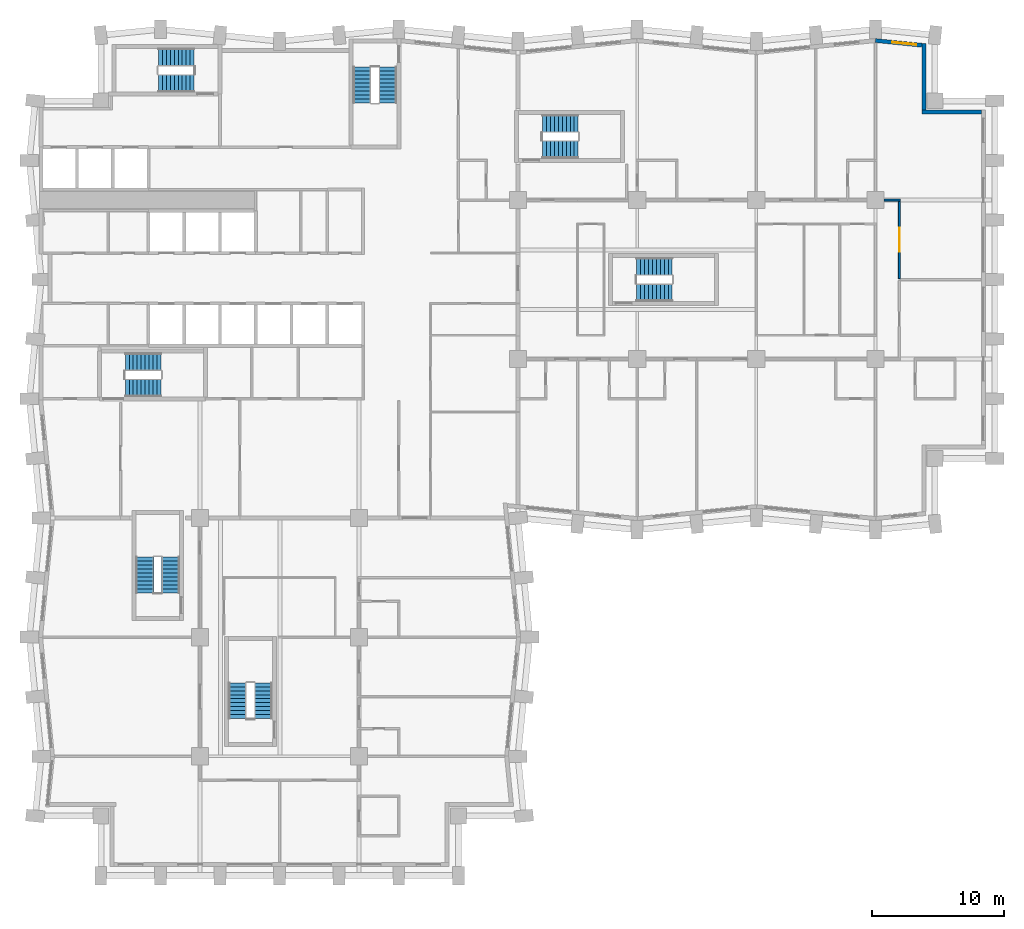
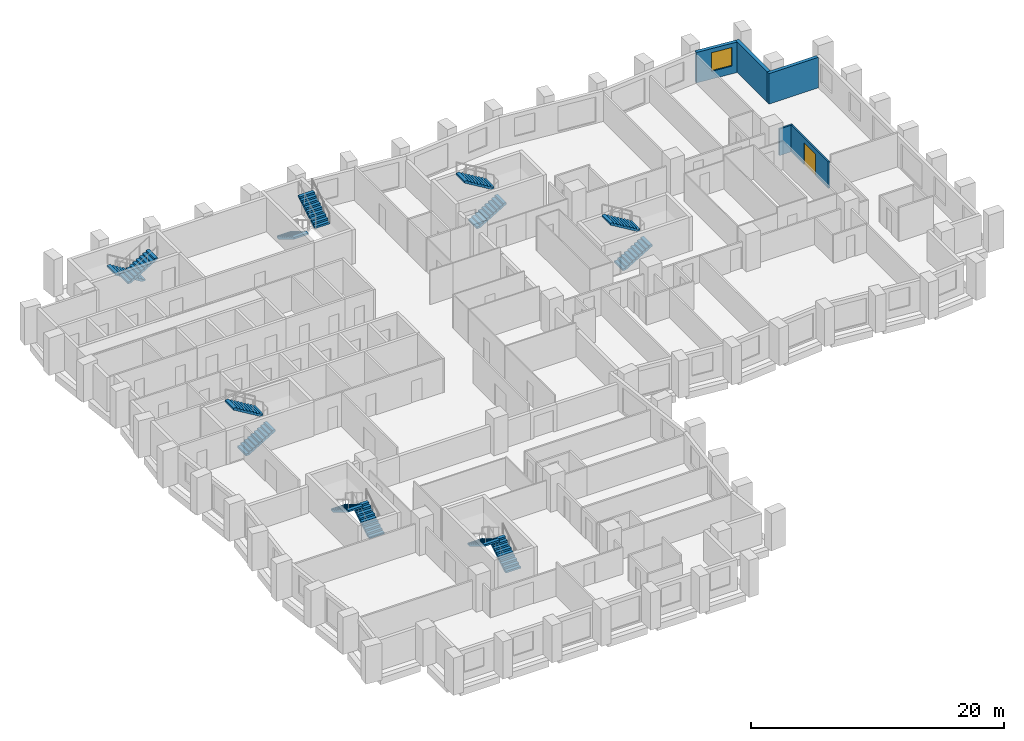
# One storey, part 10 of 12: 14 stair flights, 5 walls, 1 door, 1 window, 2 openings, 7 elements without a shape of their own.
"""IFC4 building model written with IfcOpenShell, lengths in metres."""

from ifc_helpers import new_model, si_unit, direction, frame, frame_2d, origin, place, context, subcontext, project, spatial, polyline, rectangle, outline, extrude, material, layer, layer_set, type_object, element, fill, aggregate, save


model = new_model("IFC4")

# Units and contexts
model_context = context("Model", 3, precision=1e-05, world=origin(), true_north=direction((0.0, 1.0)))
body_context = subcontext(model_context, "Body", "Model", "MODEL_VIEW")
ifc_project = project(units=[si_unit("LENGTHUNIT", "METRE"), si_unit("AREAUNIT", "SQUARE_METRE"), si_unit("VOLUMEUNIT", "CUBIC_METRE"), si_unit("PLANEANGLEUNIT", "RADIAN"), si_unit("MASSUNIT", "GRAM", prefix="KILO")], contexts=[model_context])

# Site, building, storey
site_placement = place(None, origin())
site = spatial("IfcSite", under=ifc_project, at=site_placement, CompositionType="ELEMENT")
building_placement = place(site_placement, origin())
building = spatial("IfcBuilding", under=site, at=building_placement, Name="Brondeck Convention Tower", CompositionType="ELEMENT")
storey_placement = place(building_placement, frame((0.0, 0.0, 80.699951171875)))
storey = spatial("IfcBuildingStorey", under=building, at=storey_placement, Name="L18", CompositionType="ELEMENT", Elevation=80.699951171875)

# Walls
ifc_material_1 = material(Name="Precast concrete C50/60 bronze finish", Category="concrete")
ifc_layer_1 = layer(ifc_material_1, 0.070068359375, Name="Bronze precast facing")
ifc_material_2 = material(Name="Mineral wool")
ifc_layer_2 = layer(ifc_material_2, 0.159912109375, Name="Insulation")
ifc_material_3 = material(Name="Concrete C35/45", Category="concrete")
ifc_layer_3 = layer(ifc_material_3, 0.070068359375, Name="Backing")
ifc_layer_set_1 = layer_set([ifc_layer_1, ifc_layer_2, ifc_layer_3], Name="External infill wall, precast concrete C50/60 bronze facing")
wall_type_1 = type_object("IfcWallType", Name="External infill wall, precast concrete C50/60 bronze facing", PredefinedType="SOLIDWALL", material=ifc_layer_set_1)
wall_1_placement = place(storey_placement, frame((66.5, 57.64990234375, 0.0), z_axis=(0.0, 0.0, 1.0), x_axis=(1.0, 0.0, 0.0)))
element("IfcWall", 1, at=wall_1_placement, inside=storey, type_object=wall_type_1, Name="ENV-EW-L18-P0-NC-NEA72-01", PredefinedType="SOLIDWALL", context=body_context, shape_type="SweptSolid", body=[
    extrude(rectangle(XDim=4.5, YDim=0.300048828125, at=frame_2d((2.25, 0.0))), origin(), (0.0, 0.0, 1.0), 2.949951171875),
])
wall_2_placement = place(storey_placement, frame((66.64990234375, 62.81640625, 0.0), z_axis=(0.0, 0.0, 1.0), x_axis=(0.0, -1.0, 0.0)))
element("IfcWall", 2, at=wall_2_placement, inside=storey, type_object=wall_type_1, Name="ENV-EW-L18-P0-NC-NEA72-02", PredefinedType="SOLIDWALL", context=body_context, shape_type="SweptSolid", body=[
    extrude(rectangle(XDim=5.018310546875, YDim=0.300048828125, at=frame_2d((2.50927734375, 0.0))), origin(), (0.0, 0.0, 1.0), 2.949951171875),
])

# Wall, opening, window
wall_3_placement = place(storey_placement, frame((62.985107421875, 63.04736328125, 0.0), z_axis=(0.0, 0.0, 1.0), x_axis=(0.995031712439, -0.099558481511, 0.0)))
wall_3 = element("IfcWall", 3, at=wall_3_placement, inside=storey, type_object=wall_type_1, Name="ENV-EW-L18-P0-A-N-14", PredefinedType="SOLIDWALL", context=body_context, shape_type="SweptSolid", body=[
    extrude(rectangle(XDim=3.53125, YDim=0.300048828125, at=frame_2d((1.765625, 0.0))), origin(), (0.0, 0.0, 1.0), 2.949951171875),
])
opening_1_placement = place(wall_3_placement, frame((1.291259765625, 0.0, 0.75)))
opening_1 = element("IfcOpeningElement", 4, at=opening_1_placement, cuts=wall_3, Name="Opening W10", PredefinedType="OPENING", context=body_context, shape_type="SweptSolid", body=[
    extrude(rectangle(XDim=1.800048828125, YDim=1.800048828125, at=frame_2d((0.89990234375, 0.89990234375))), frame((0.0, 0.159912109375, 0.0), z_axis=(0.0, -1.0, 0.0), x_axis=(1.0, 0.0, 0.0)), (0.0, 0.0, 1.0), 0.320068359375),
])
ifc_material_4 = material(Name="Bronze tinted double glazing", Category="glass")
window_type = type_object("IfcWindowType", Name="Punched window, bronze tinted", PartitioningType="SINGLE_PANEL", PredefinedType="WINDOW", material=ifc_material_4)
window_placement = place(opening_1_placement, origin())
window = element("IfcWindow", 5, at=window_placement, inside=storey, type_object=window_type, Name="ENV-WN-L18-P0-A-N-14", OverallHeight=1.800048828125, OverallWidth=1.800048828125, PartitioningType="SINGLE_PANEL", PredefinedType="WINDOW", context=body_context, shape_type="SweptSolid", body=[
    extrude(rectangle(XDim=1.800048828125, YDim=1.800048828125, at=frame_2d((0.89990234375, 0.89990234375))), frame((0.0, 0.030029296875, 0.0), z_axis=(0.0, -1.0, 0.0), x_axis=(1.0, 0.0, 0.0)), (0.0, 0.0, 1.0), 0.06005859375),
])
fill(opening_1, window)

# Wall, opening, door
ifc_material_5 = material(Name="Double gypsum board acoustic wall")
ifc_layer_4 = layer(ifc_material_5, 0.14990234375)
ifc_layer_set_2 = layer_set([ifc_layer_4], Name="Guest room party wall 150")
wall_type_2 = type_object("IfcWallType", Name="Guest room party wall 150", PredefinedType="PARTITIONING", material=ifc_layer_set_2)
wall_4_placement = place(storey_placement, frame((64.800048828125, 50.925048828125, 0.0), z_axis=(0.0, 0.0, 1.0), x_axis=(0.0, -1.0, 0.0)))
wall_4 = element("IfcWall", 6, at=wall_4_placement, inside=storey, type_object=wall_type_2, Name="FLR-L18-W105", PredefinedType="PARTITIONING", context=body_context, shape_type="SweptSolid", body=[
    extrude(rectangle(XDim=5.85009765625, YDim=0.14990234375, at=frame_2d((2.925048828125, 0.0))), origin(), (0.0, 0.0, 1.0), 2.580078125),
])
opening_2_placement = place(wall_4_placement, frame((2.02490234375, 0.0, 0.0)))
opening_2 = element("IfcOpeningElement", 7, at=opening_2_placement, cuts=wall_4, Name="Opening H5-019", PredefinedType="OPENING", context=body_context, shape_type="SweptSolid", body=[
    extrude(rectangle(XDim=1.800048828125, YDim=2.10009765625, at=frame_2d((0.89990234375, 1.050048828125))), frame((0.0, 0.0849609375, 0.0), z_axis=(0.0, -1.0, 0.0), x_axis=(1.0, 0.0, 0.0)), (0.0, 0.0, 1.0), 0.169921875),
])
ifc_material_6 = material(Name="Glazed timber double door", Category="wood")
door_type = type_object("IfcDoorType", Name="Double door 1800", OperationType="DOUBLE_DOOR_SINGLE_SWING", PredefinedType="DOOR", material=ifc_material_6)
door_placement = place(opening_2_placement, origin())
door = element("IfcDoor", 8, at=door_placement, inside=storey, type_object=door_type, Name="Door H5-019", OperationType="DOUBLE_DOOR_SINGLE_SWING", OverallHeight=2.10009765625, OverallWidth=1.800048828125, PredefinedType="DOOR", context=body_context, shape_type="SweptSolid", body=[
    extrude(rectangle(XDim=1.800048828125, YDim=2.10009765625, at=frame_2d((0.89990234375, 1.050048828125))), frame((0.0, 0.02490234375, 0.0), z_axis=(0.0, -1.0, 0.0), x_axis=(1.0, 0.0, 0.0)), (0.0, 0.0, 1.0), 0.050048828125),
])
fill(opening_2, door)

# Wall
wall_5_placement = place(storey_placement, frame((63.655029296875, 51.0, 0.0), z_axis=(0.0, 0.0, 1.0), x_axis=(1.0, 0.0, 0.0)))
element("IfcWall", 9, at=wall_5_placement, inside=storey, type_object=wall_type_2, Name="FLR-L18-W115", PredefinedType="PARTITIONING", context=body_context, shape_type="SweptSolid", body=[
    extrude(rectangle(XDim=1.219970703125, YDim=0.14990234375, at=frame_2d((0.60986328125, 0.0))), origin(), (0.0, 0.0, 1.0), 2.580078125),
])

# Stair, stair flights
ifc_material_7 = material(Name="Precast concrete C50/60", Category="concrete")
stair_type = type_object("IfcStairType", Name="Core stair 20 risers 180.00 mm riser 300 mm going 1350 wide", PredefinedType="HALF_TURN_STAIR", material=ifc_material_7)
stair_1_placement = place(storey_placement, origin())
stair_1 = element("IfcStair", 10, at=stair_1_placement, inside=storey, type_object=stair_type, Name="ST-1 L18 stair", PredefinedType="HALF_TURN_STAIR")
stair_flight_type = type_object("IfcStairFlightType", Name="Core stair flight 20 risers 180.00 mm riser 300 mm going 1350 wide", PredefinedType="STRAIGHT", material=ifc_material_7)
stair_flight_1_placement = place(storey_placement, frame((6.35009765625, 36.824951171875, 0.0), z_axis=(0.0, 0.0, 1.0), x_axis=(1.0, 0.0, 0.0)))
stair_flight_1 = element("IfcStairFlight", 11, at=stair_flight_1_placement, type_object=stair_flight_type, Name="ST-1 flight 1", NumberOfRisers=10, NumberOfTreads=9, PredefinedType="STRAIGHT", RiserHeight=0.18, TreadLength=0.3, context=body_context, shape_type="SweptSolid", body=[
    extrude(outline(polyline([(0.0, 0.0), (0.0, 0.179931640625), (0.300048828125, 0.179931640625), (0.300048828125, 0.360107421875), (0.60009765625, 0.360107421875), (0.60009765625, 0.5400390625), (0.89990234375, 0.5400390625), (0.89990234375, 0.719970703125), (1.199951171875, 0.719970703125), (1.199951171875, 0.89990234375), (1.5, 0.89990234375), (1.5, 1.080078125), (1.800048828125, 1.080078125), (1.800048828125, 1.260009765625), (2.10009765625, 1.260009765625), (2.10009765625, 1.43994140625), (2.39990234375, 1.43994140625), (2.39990234375, 1.6201171875), (2.699951171875, 1.6201171875), (2.699951171875, 1.800048828125), (2.699951171875, 1.445068359375), (0.291259765625, 0.0), (0.0, 0.0)])), frame((0.0, 0.675048828125, 0.0), z_axis=(0.0, -1.0, 0.0), x_axis=(1.0, 0.0, 0.0)), (0.0, 0.0, 1.0), 1.35009765625),
])
stair_flight_2_placement = place(storey_placement, frame((9.050048828125, 38.77490234375, 1.800048828125), z_axis=(0.0, 0.0, 1.0), x_axis=(-1.0, 0.0, 0.0)))
stair_flight_2 = element("IfcStairFlight", 12, at=stair_flight_2_placement, type_object=stair_flight_type, Name="ST-1 flight 2", NumberOfRisers=10, NumberOfTreads=9, PredefinedType="STRAIGHT", RiserHeight=0.18, TreadLength=0.3, context=body_context, shape_type="SweptSolid", body=[
    extrude(outline(polyline([(0.0, 0.0), (0.0, 0.179931640625), (0.300048828125, 0.179931640625), (0.300048828125, 0.360107421875), (0.60009765625, 0.360107421875), (0.60009765625, 0.5400390625), (0.89990234375, 0.5400390625), (0.89990234375, 0.719970703125), (1.199951171875, 0.719970703125), (1.199951171875, 0.89990234375), (1.5, 0.89990234375), (1.5, 1.080078125), (1.800048828125, 1.080078125), (1.800048828125, 1.260009765625), (2.10009765625, 1.260009765625), (2.10009765625, 1.43994140625), (2.39990234375, 1.43994140625), (2.39990234375, 1.6201171875), (2.699951171875, 1.6201171875), (2.699951171875, 1.800048828125), (2.699951171875, 1.445068359375), (0.291259765625, 0.0), (0.0, 0.0)])), frame((0.0, 0.675048828125, 0.0), z_axis=(0.0, -1.0, 0.0), x_axis=(1.0, 0.0, 0.0)), (0.0, 0.0, 1.0), 1.35009765625),
])
aggregate(stair_1, [stair_flight_1, stair_flight_2])

stair_2_placement = place(storey_placement, origin())
stair_2 = element("IfcStair", 13, at=stair_2_placement, inside=storey, type_object=stair_type, Name="ST-2 L18 stair", PredefinedType="HALF_TURN_STAIR")
stair_flight_3_placement = place(storey_placement, frame((24.22509765625, 61.050048828125, 0.0), z_axis=(0.0, 0.0, 1.0), x_axis=(0.0, -1.0, 0.0)))
stair_flight_3 = element("IfcStairFlight", 14, at=stair_flight_3_placement, type_object=stair_flight_type, Name="ST-2 flight 1", NumberOfRisers=10, NumberOfTreads=9, PredefinedType="STRAIGHT", RiserHeight=0.18, TreadLength=0.3, context=body_context, shape_type="SweptSolid", body=[
    extrude(outline(polyline([(0.0, 0.0), (0.0, 0.179931640625), (0.300048828125, 0.179931640625), (0.300048828125, 0.360107421875), (0.60009765625, 0.360107421875), (0.60009765625, 0.5400390625), (0.89990234375, 0.5400390625), (0.89990234375, 0.719970703125), (1.199951171875, 0.719970703125), (1.199951171875, 0.89990234375), (1.5, 0.89990234375), (1.5, 1.080078125), (1.800048828125, 1.080078125), (1.800048828125, 1.260009765625), (2.10009765625, 1.260009765625), (2.10009765625, 1.43994140625), (2.39990234375, 1.43994140625), (2.39990234375, 1.6201171875), (2.699951171875, 1.6201171875), (2.699951171875, 1.800048828125), (2.699951171875, 1.445068359375), (0.291259765625, 0.0), (0.0, 0.0)])), frame((0.0, 0.675048828125, 0.0), z_axis=(0.0, -1.0, 0.0), x_axis=(1.0, 0.0, 0.0)), (0.0, 0.0, 1.0), 1.35009765625),
])
stair_flight_4_placement = place(storey_placement, frame((26.175048828125, 58.35009765625, 1.800048828125), z_axis=(0.0, 0.0, 1.0), x_axis=(0.0, 1.0, 0.0)))
stair_flight_4 = element("IfcStairFlight", 15, at=stair_flight_4_placement, type_object=stair_flight_type, Name="ST-2 flight 2", NumberOfRisers=10, NumberOfTreads=9, PredefinedType="STRAIGHT", RiserHeight=0.18, TreadLength=0.3, context=body_context, shape_type="SweptSolid", body=[
    extrude(outline(polyline([(0.0, 0.0), (0.0, 0.179931640625), (0.300048828125, 0.179931640625), (0.300048828125, 0.360107421875), (0.60009765625, 0.360107421875), (0.60009765625, 0.5400390625), (0.89990234375, 0.5400390625), (0.89990234375, 0.719970703125), (1.199951171875, 0.719970703125), (1.199951171875, 0.89990234375), (1.5, 0.89990234375), (1.5, 1.080078125), (1.800048828125, 1.080078125), (1.800048828125, 1.260009765625), (2.10009765625, 1.260009765625), (2.10009765625, 1.43994140625), (2.39990234375, 1.43994140625), (2.39990234375, 1.6201171875), (2.699951171875, 1.6201171875), (2.699951171875, 1.800048828125), (2.699951171875, 1.445068359375), (0.291259765625, 0.0), (0.0, 0.0)])), frame((0.0, 0.675048828125, 0.0), z_axis=(0.0, -1.0, 0.0), x_axis=(1.0, 0.0, 0.0)), (0.0, 0.0, 1.0), 1.35009765625),
])
aggregate(stair_2, [stair_flight_3, stair_flight_4])

stair_3_placement = place(storey_placement, origin())
stair_3 = element("IfcStair", 16, at=stair_3_placement, inside=storey, type_object=stair_type, Name="ST-3 L18 stair", PredefinedType="HALF_TURN_STAIR")
stair_flight_5_placement = place(storey_placement, frame((11.550048828125, 61.77490234375, 0.0), z_axis=(0.0, 0.0, 1.0), x_axis=(-1.0, 0.0, 0.0)))
stair_flight_5 = element("IfcStairFlight", 17, at=stair_flight_5_placement, type_object=stair_flight_type, Name="ST-3 flight 1", NumberOfRisers=10, NumberOfTreads=9, PredefinedType="STRAIGHT", RiserHeight=0.18, TreadLength=0.3, context=body_context, shape_type="SweptSolid", body=[
    extrude(outline(polyline([(0.0, 0.0), (0.0, 0.179931640625), (0.300048828125, 0.179931640625), (0.300048828125, 0.360107421875), (0.60009765625, 0.360107421875), (0.60009765625, 0.5400390625), (0.89990234375, 0.5400390625), (0.89990234375, 0.719970703125), (1.199951171875, 0.719970703125), (1.199951171875, 0.89990234375), (1.5, 0.89990234375), (1.5, 1.080078125), (1.800048828125, 1.080078125), (1.800048828125, 1.260009765625), (2.10009765625, 1.260009765625), (2.10009765625, 1.43994140625), (2.39990234375, 1.43994140625), (2.39990234375, 1.6201171875), (2.699951171875, 1.6201171875), (2.699951171875, 1.800048828125), (2.699951171875, 1.445068359375), (0.291259765625, 0.0), (0.0, 0.0)])), frame((0.0, 0.675048828125, 0.0), z_axis=(0.0, -1.0, 0.0), x_axis=(1.0, 0.0, 0.0)), (0.0, 0.0, 1.0), 1.35009765625),
])
stair_flight_6_placement = place(storey_placement, frame((8.85009765625, 59.824951171875, 1.800048828125), z_axis=(0.0, 0.0, 1.0), x_axis=(1.0, 0.0, 0.0)))
stair_flight_6 = element("IfcStairFlight", 18, at=stair_flight_6_placement, type_object=stair_flight_type, Name="ST-3 flight 2", NumberOfRisers=10, NumberOfTreads=9, PredefinedType="STRAIGHT", RiserHeight=0.18, TreadLength=0.3, context=body_context, shape_type="SweptSolid", body=[
    extrude(outline(polyline([(0.0, 0.0), (0.0, 0.179931640625), (0.300048828125, 0.179931640625), (0.300048828125, 0.360107421875), (0.60009765625, 0.360107421875), (0.60009765625, 0.5400390625), (0.89990234375, 0.5400390625), (0.89990234375, 0.719970703125), (1.199951171875, 0.719970703125), (1.199951171875, 0.89990234375), (1.5, 0.89990234375), (1.5, 1.080078125), (1.800048828125, 1.080078125), (1.800048828125, 1.260009765625), (2.10009765625, 1.260009765625), (2.10009765625, 1.43994140625), (2.39990234375, 1.43994140625), (2.39990234375, 1.6201171875), (2.699951171875, 1.6201171875), (2.699951171875, 1.800048828125), (2.699951171875, 1.445068359375), (0.291259765625, 0.0), (0.0, 0.0)])), frame((0.0, 0.675048828125, 0.0), z_axis=(0.0, -1.0, 0.0), x_axis=(1.0, 0.0, 0.0)), (0.0, 0.0, 1.0), 1.35009765625),
])
aggregate(stair_3, [stair_flight_5, stair_flight_6])

stair_4_placement = place(storey_placement, origin())
stair_4 = element("IfcStair", 19, at=stair_4_placement, inside=storey, type_object=stair_type, Name="ST-AE L18 stair", PredefinedType="HALF_TURN_STAIR")
stair_flight_7_placement = place(storey_placement, frame((37.85009765625, 54.824951171875, 0.0), z_axis=(0.0, 0.0, 1.0), x_axis=(1.0, 0.0, 0.0)))
stair_flight_7 = element("IfcStairFlight", 20, at=stair_flight_7_placement, type_object=stair_flight_type, Name="ST-AE flight 1", NumberOfRisers=10, NumberOfTreads=9, PredefinedType="STRAIGHT", RiserHeight=0.18, TreadLength=0.3, context=body_context, shape_type="SweptSolid", body=[
    extrude(outline(polyline([(0.0, 0.0), (0.0, 0.179931640625), (0.300048828125, 0.179931640625), (0.300048828125, 0.360107421875), (0.60009765625, 0.360107421875), (0.60009765625, 0.5400390625), (0.89990234375, 0.5400390625), (0.89990234375, 0.719970703125), (1.199951171875, 0.719970703125), (1.199951171875, 0.89990234375), (1.5, 0.89990234375), (1.5, 1.080078125), (1.800048828125, 1.080078125), (1.800048828125, 1.260009765625), (2.10009765625, 1.260009765625), (2.10009765625, 1.43994140625), (2.39990234375, 1.43994140625), (2.39990234375, 1.6201171875), (2.699951171875, 1.6201171875), (2.699951171875, 1.800048828125), (2.699951171875, 1.445068359375), (0.291259765625, 0.0), (0.0, 0.0)])), frame((0.0, 0.675048828125, 0.0), z_axis=(0.0, -1.0, 0.0), x_axis=(1.0, 0.0, 0.0)), (0.0, 0.0, 1.0), 1.35009765625),
])
stair_flight_8_placement = place(storey_placement, frame((40.550048828125, 56.77490234375, 1.800048828125), z_axis=(0.0, 0.0, 1.0), x_axis=(-1.0, 0.0, 0.0)))
stair_flight_8 = element("IfcStairFlight", 21, at=stair_flight_8_placement, type_object=stair_flight_type, Name="ST-AE flight 2", NumberOfRisers=10, NumberOfTreads=9, PredefinedType="STRAIGHT", RiserHeight=0.18, TreadLength=0.3, context=body_context, shape_type="SweptSolid", body=[
    extrude(outline(polyline([(0.0, 0.0), (0.0, 0.179931640625), (0.300048828125, 0.179931640625), (0.300048828125, 0.360107421875), (0.60009765625, 0.360107421875), (0.60009765625, 0.5400390625), (0.89990234375, 0.5400390625), (0.89990234375, 0.719970703125), (1.199951171875, 0.719970703125), (1.199951171875, 0.89990234375), (1.5, 0.89990234375), (1.5, 1.080078125), (1.800048828125, 1.080078125), (1.800048828125, 1.260009765625), (2.10009765625, 1.260009765625), (2.10009765625, 1.43994140625), (2.39990234375, 1.43994140625), (2.39990234375, 1.6201171875), (2.699951171875, 1.6201171875), (2.699951171875, 1.800048828125), (2.699951171875, 1.445068359375), (0.291259765625, 0.0), (0.0, 0.0)])), frame((0.0, 0.675048828125, 0.0), z_axis=(0.0, -1.0, 0.0), x_axis=(1.0, 0.0, 0.0)), (0.0, 0.0, 1.0), 1.35009765625),
])
aggregate(stair_4, [stair_flight_7, stair_flight_8])

stair_5_placement = place(storey_placement, origin())
stair_5 = element("IfcStair", 22, at=stair_5_placement, inside=storey, type_object=stair_type, Name="ST-BE L18 stair", PredefinedType="HALF_TURN_STAIR")
stair_flight_9_placement = place(storey_placement, frame((9.77490234375, 21.35009765625, 0.0), z_axis=(0.0, 0.0, 1.0), x_axis=(0.0, 1.0, 0.0)))
stair_flight_9 = element("IfcStairFlight", 23, at=stair_flight_9_placement, type_object=stair_flight_type, Name="ST-BE flight 1", NumberOfRisers=10, NumberOfTreads=9, PredefinedType="STRAIGHT", RiserHeight=0.18, TreadLength=0.3, context=body_context, shape_type="SweptSolid", body=[
    extrude(outline(polyline([(0.0, 0.0), (0.0, 0.179931640625), (0.300048828125, 0.179931640625), (0.300048828125, 0.360107421875), (0.60009765625, 0.360107421875), (0.60009765625, 0.5400390625), (0.89990234375, 0.5400390625), (0.89990234375, 0.719970703125), (1.199951171875, 0.719970703125), (1.199951171875, 0.89990234375), (1.5, 0.89990234375), (1.5, 1.080078125), (1.800048828125, 1.080078125), (1.800048828125, 1.260009765625), (2.10009765625, 1.260009765625), (2.10009765625, 1.43994140625), (2.39990234375, 1.43994140625), (2.39990234375, 1.6201171875), (2.699951171875, 1.6201171875), (2.699951171875, 1.800048828125), (2.699951171875, 1.445068359375), (0.291259765625, 0.0), (0.0, 0.0)])), frame((0.0, 0.675048828125, 0.0), z_axis=(0.0, -1.0, 0.0), x_axis=(1.0, 0.0, 0.0)), (0.0, 0.0, 1.0), 1.35009765625),
])
stair_flight_10_placement = place(storey_placement, frame((7.824951171875, 24.050048828125, 1.800048828125), z_axis=(0.0, 0.0, 1.0), x_axis=(0.0, -1.0, 0.0)))
stair_flight_10 = element("IfcStairFlight", 24, at=stair_flight_10_placement, type_object=stair_flight_type, Name="ST-BE flight 2", NumberOfRisers=10, NumberOfTreads=9, PredefinedType="STRAIGHT", RiserHeight=0.18, TreadLength=0.3, context=body_context, shape_type="SweptSolid", body=[
    extrude(outline(polyline([(0.0, 0.0), (0.0, 0.179931640625), (0.300048828125, 0.179931640625), (0.300048828125, 0.360107421875), (0.60009765625, 0.360107421875), (0.60009765625, 0.5400390625), (0.89990234375, 0.5400390625), (0.89990234375, 0.719970703125), (1.199951171875, 0.719970703125), (1.199951171875, 0.89990234375), (1.5, 0.89990234375), (1.5, 1.080078125), (1.800048828125, 1.080078125), (1.800048828125, 1.260009765625), (2.10009765625, 1.260009765625), (2.10009765625, 1.43994140625), (2.39990234375, 1.43994140625), (2.39990234375, 1.6201171875), (2.699951171875, 1.6201171875), (2.699951171875, 1.800048828125), (2.699951171875, 1.445068359375), (0.291259765625, 0.0), (0.0, 0.0)])), frame((0.0, 0.675048828125, 0.0), z_axis=(0.0, -1.0, 0.0), x_axis=(1.0, 0.0, 0.0)), (0.0, 0.0, 1.0), 1.35009765625),
])
aggregate(stair_5, [stair_flight_9, stair_flight_10])

stair_6_placement = place(storey_placement, origin())
stair_6 = element("IfcStair", 25, at=stair_6_placement, inside=storey, type_object=stair_type, Name="ST-AF L18 stair", PredefinedType="HALF_TURN_STAIR")
stair_flight_11_placement = place(storey_placement, frame((44.949951171875, 44.02490234375, 0.0), z_axis=(0.0, 0.0, 1.0), x_axis=(1.0, 0.0, 0.0)))
stair_flight_11 = element("IfcStairFlight", 26, at=stair_flight_11_placement, type_object=stair_flight_type, Name="ST-AF flight 1", NumberOfRisers=10, NumberOfTreads=9, PredefinedType="STRAIGHT", RiserHeight=0.18, TreadLength=0.3, context=body_context, shape_type="SweptSolid", body=[
    extrude(outline(polyline([(0.0, 0.0), (0.0, 0.179931640625), (0.300048828125, 0.179931640625), (0.300048828125, 0.360107421875), (0.60009765625, 0.360107421875), (0.60009765625, 0.5400390625), (0.89990234375, 0.5400390625), (0.89990234375, 0.719970703125), (1.199951171875, 0.719970703125), (1.199951171875, 0.89990234375), (1.5, 0.89990234375), (1.5, 1.080078125), (1.800048828125, 1.080078125), (1.800048828125, 1.260009765625), (2.10009765625, 1.260009765625), (2.10009765625, 1.43994140625), (2.39990234375, 1.43994140625), (2.39990234375, 1.6201171875), (2.699951171875, 1.6201171875), (2.699951171875, 1.800048828125), (2.699951171875, 1.445068359375), (0.291259765625, 0.0), (0.0, 0.0)])), frame((0.0, 0.675048828125, 0.0), z_axis=(0.0, -1.0, 0.0), x_axis=(1.0, 0.0, 0.0)), (0.0, 0.0, 1.0), 1.35009765625),
])
stair_flight_12_placement = place(storey_placement, frame((47.64990234375, 45.97509765625, 1.800048828125), z_axis=(0.0, 0.0, 1.0), x_axis=(-1.0, 0.0, 0.0)))
stair_flight_12 = element("IfcStairFlight", 27, at=stair_flight_12_placement, type_object=stair_flight_type, Name="ST-AF flight 2", NumberOfRisers=10, NumberOfTreads=9, PredefinedType="STRAIGHT", RiserHeight=0.18, TreadLength=0.3, context=body_context, shape_type="SweptSolid", body=[
    extrude(outline(polyline([(0.0, 0.0), (0.0, 0.179931640625), (0.300048828125, 0.179931640625), (0.300048828125, 0.360107421875), (0.60009765625, 0.360107421875), (0.60009765625, 0.5400390625), (0.89990234375, 0.5400390625), (0.89990234375, 0.719970703125), (1.199951171875, 0.719970703125), (1.199951171875, 0.89990234375), (1.5, 0.89990234375), (1.5, 1.080078125), (1.800048828125, 1.080078125), (1.800048828125, 1.260009765625), (2.10009765625, 1.260009765625), (2.10009765625, 1.43994140625), (2.39990234375, 1.43994140625), (2.39990234375, 1.6201171875), (2.699951171875, 1.6201171875), (2.699951171875, 1.800048828125), (2.699951171875, 1.445068359375), (0.291259765625, 0.0), (0.0, 0.0)])), frame((0.0, 0.675048828125, 0.0), z_axis=(0.0, -1.0, 0.0), x_axis=(1.0, 0.0, 0.0)), (0.0, 0.0, 1.0), 1.35009765625),
])
aggregate(stair_6, [stair_flight_11, stair_flight_12])

stair_7_placement = place(storey_placement, origin())
stair_7 = element("IfcStair", 28, at=stair_7_placement, inside=storey, type_object=stair_type, Name="ST-BF L18 stair", PredefinedType="HALF_TURN_STAIR")
stair_flight_13_placement = place(storey_placement, frame((16.77490234375, 11.85009765625, 0.0), z_axis=(0.0, 0.0, 1.0), x_axis=(0.0, 1.0, 0.0)))
stair_flight_13 = element("IfcStairFlight", 29, at=stair_flight_13_placement, type_object=stair_flight_type, Name="ST-BF flight 1", NumberOfRisers=10, NumberOfTreads=9, PredefinedType="STRAIGHT", RiserHeight=0.18, TreadLength=0.3, context=body_context, shape_type="SweptSolid", body=[
    extrude(outline(polyline([(0.0, 0.0), (0.0, 0.179931640625), (0.300048828125, 0.179931640625), (0.300048828125, 0.360107421875), (0.60009765625, 0.360107421875), (0.60009765625, 0.5400390625), (0.89990234375, 0.5400390625), (0.89990234375, 0.719970703125), (1.199951171875, 0.719970703125), (1.199951171875, 0.89990234375), (1.5, 0.89990234375), (1.5, 1.080078125), (1.800048828125, 1.080078125), (1.800048828125, 1.260009765625), (2.10009765625, 1.260009765625), (2.10009765625, 1.43994140625), (2.39990234375, 1.43994140625), (2.39990234375, 1.6201171875), (2.699951171875, 1.6201171875), (2.699951171875, 1.800048828125), (2.699951171875, 1.445068359375), (0.291259765625, 0.0), (0.0, 0.0)])), frame((0.0, 0.675048828125, 0.0), z_axis=(0.0, -1.0, 0.0), x_axis=(1.0, 0.0, 0.0)), (0.0, 0.0, 1.0), 1.35009765625),
])
stair_flight_14_placement = place(storey_placement, frame((14.824951171875, 14.550048828125, 1.800048828125), z_axis=(0.0, 0.0, 1.0), x_axis=(0.0, -1.0, 0.0)))
stair_flight_14 = element("IfcStairFlight", 30, at=stair_flight_14_placement, type_object=stair_flight_type, Name="ST-BF flight 2", NumberOfRisers=10, NumberOfTreads=9, PredefinedType="STRAIGHT", RiserHeight=0.18, TreadLength=0.3, context=body_context, shape_type="SweptSolid", body=[
    extrude(outline(polyline([(0.0, 0.0), (0.0, 0.179931640625), (0.300048828125, 0.179931640625), (0.300048828125, 0.360107421875), (0.60009765625, 0.360107421875), (0.60009765625, 0.5400390625), (0.89990234375, 0.5400390625), (0.89990234375, 0.719970703125), (1.199951171875, 0.719970703125), (1.199951171875, 0.89990234375), (1.5, 0.89990234375), (1.5, 1.080078125), (1.800048828125, 1.080078125), (1.800048828125, 1.260009765625), (2.10009765625, 1.260009765625), (2.10009765625, 1.43994140625), (2.39990234375, 1.43994140625), (2.39990234375, 1.6201171875), (2.699951171875, 1.6201171875), (2.699951171875, 1.800048828125), (2.699951171875, 1.445068359375), (0.291259765625, 0.0), (0.0, 0.0)])), frame((0.0, 0.675048828125, 0.0), z_axis=(0.0, -1.0, 0.0), x_axis=(1.0, 0.0, 0.0)), (0.0, 0.0, 1.0), 1.35009765625),
])
aggregate(stair_7, [stair_flight_13, stair_flight_14])

save(model, "model.ifc")
